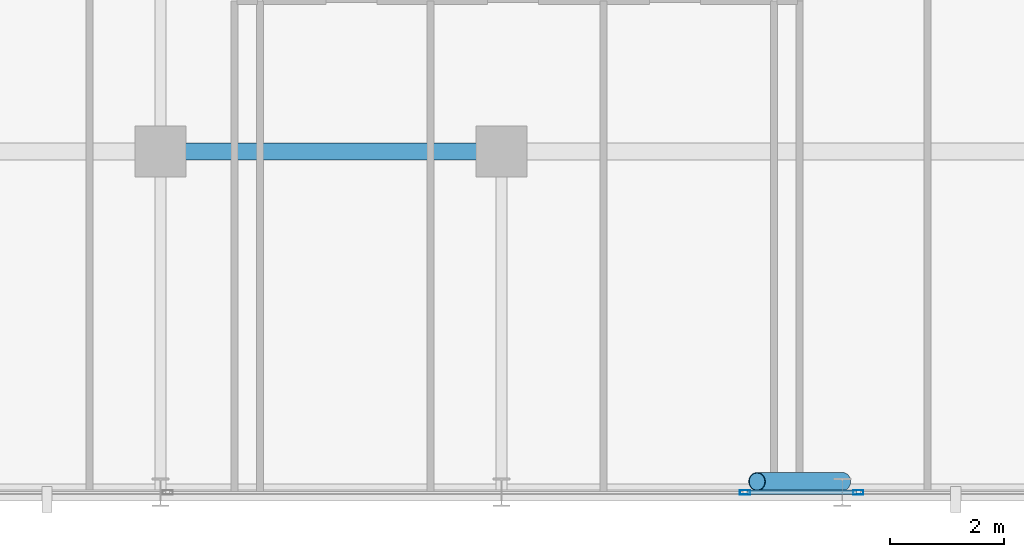
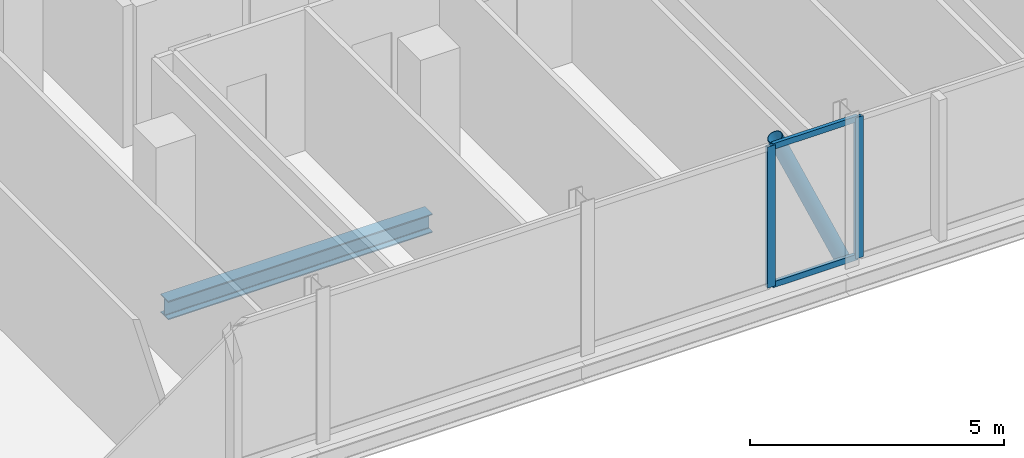
# One storey, part 9 of 31: 5 members, 1 beam, 2 elements without a shape of their own.
"""IFC4 building model written with IfcOpenShell, lengths in metres."""

from ifc_helpers import new_model, si_unit, direction, frame, origin, origin_2d, place, context, subcontext, project, spatial, hollow_rectangle, hollow_circle, i_section, extrude, material, layer, layer_set, material_profile, profile_set, type_object, element, aggregate, save


model = new_model("IFC4")

# Units and contexts
model_context = context("Model", 3, precision=1e-05, world=origin(), true_north=direction((0.0, 1.0)))
body_context = subcontext(model_context, "Body", "Model", "MODEL_VIEW")
ifc_project = project(units=[si_unit("LENGTHUNIT", "METRE"), si_unit("AREAUNIT", "SQUARE_METRE"), si_unit("VOLUMEUNIT", "CUBIC_METRE"), si_unit("PLANEANGLEUNIT", "RADIAN"), si_unit("MASSUNIT", "GRAM", prefix="KILO")], contexts=[model_context])

# Site, building, storey
site_placement = place(None, origin())
site = spatial("IfcSite", under=ifc_project, at=site_placement, CompositionType="ELEMENT")
building_placement = place(site_placement, origin())
building = spatial("IfcBuilding", under=site, at=building_placement, Name="Keshet Zoharim Tower", CompositionType="ELEMENT")
storey_placement = place(building_placement, frame((0.0, 0.0, 140.89990234375)))
storey = spatial("IfcBuildingStorey", under=building, at=storey_placement, Name="L34", CompositionType="ELEMENT", Elevation=140.89990234375)

# Beam
ifc_material_1 = material(Name="Steel S355", Category="steel")
ifc_material_profile_1 = material_profile(ifc_material_1, i_section(OverallWidth=0.300048828125, OverallDepth=0.449951171875, WebThickness=0.013916015625, FlangeThickness=0.02587890625, FilletRadius=0.027099609375, at=origin_2d()), Name="HEB450")
ifc_profile_set_1 = profile_set([ifc_material_profile_1], Name="Steel S355")
beam_type = type_object("IfcBeamType", Name="BM-WEB-HB450", PredefinedType="BEAM", material=ifc_profile_set_1)
beam_placement = place(storey_placement, frame((33.0, 6.699951171875, -0.539794921875), z_axis=(1.0, 0.0, 0.0), x_axis=(0.0, 1.0, 0.0)))
element("IfcBeam", 1, at=beam_placement, inside=storey, type_object=beam_type, Name="L34 Primary Girder X-007", PredefinedType="BEAM", context=body_context, shape_type="SweptSolid", body=[
    extrude(i_section(OverallWidth=0.300048828125, OverallDepth=0.449951171875, WebThickness=0.013916015625, FlangeThickness=0.02587890625, FilletRadius=0.027099609375, at=origin_2d()), origin(), (0.0, 0.0, 1.0), 6.0),
])

# Curtain wall, member
ifc_material_2 = material(Name="Aluminium 6063-T6", Category="aluminium")
ifc_layer = layer(ifc_material_2, 0.159912109375)
ifc_layer_set = layer_set([ifc_layer], Name="Aluminium 6063-T6")
curtain_wall_type = type_object("IfcCurtainWallType", Name="CW-SYS-03", PredefinedType="NOTDEFINED", material=ifc_layer_set)
curtain_wall_1_placement = place(storey_placement, origin())
curtain_wall_1 = element("IfcCurtainWall", 2, at=curtain_wall_1_placement, inside=storey, type_object=curtain_wall_type, Name="L34 Unitised Curtain Wall 03", PredefinedType="NOTDEFINED")
ifc_material_profile_2 = material_profile(ifc_material_2, hollow_rectangle(XDim=0.080078125, YDim=0.179931640625, WallThickness=0.00439453125, at=origin_2d()), Name="MUL-80x180")
ifc_profile_set_2 = profile_set([ifc_material_profile_2], Name="Aluminium 6063-T6")
member_type_1 = type_object("IfcMemberType", Name="CWM-M18", PredefinedType="MULLION", material=ifc_profile_set_2)
member_1_placement = place(storey_placement, frame((45.283203125, 0.699951171875, 0.0), z_axis=(0.0, 0.0, 1.0), x_axis=(0.0, -1.0, 0.0)))
member_1 = element("IfcMember", 3, at=member_1_placement, type_object=member_type_1, Name="CW-03 mullion 2", PredefinedType="MULLION", context=body_context, shape_type="SweptSolid", body=[
    extrude(hollow_rectangle(XDim=0.080078125, YDim=0.179931640625, WallThickness=0.00439453125, at=origin_2d()), origin(), (0.0, 0.0, 1.0), 3.385009765625),
])
aggregate(curtain_wall_1, [member_1])

# Curtain wall, members
curtain_wall_2_placement = place(storey_placement, origin())
curtain_wall_2 = element("IfcCurtainWall", 4, at=curtain_wall_2_placement, inside=storey, type_object=curtain_wall_type, Name="L34 Unitised Curtain Wall 03 Part 2", PredefinedType="NOTDEFINED")
member_2_placement = place(storey_placement, frame((43.286865234375, 0.699951171875, 0.0), z_axis=(0.0, 0.0, 1.0), x_axis=(0.0, -1.0, 0.0)))
member_2 = element("IfcMember", 5, at=member_2_placement, type_object=member_type_1, Name="CW-03 mullion 2", PredefinedType="MULLION", context=body_context, shape_type="SweptSolid", body=[
    extrude(hollow_rectangle(XDim=0.080078125, YDim=0.179931640625, WallThickness=0.00439453125, at=origin_2d()), origin(), (0.0, 0.0, 1.0), 3.385009765625),
])
ifc_material_profile_3 = material_profile(ifc_material_2, hollow_rectangle(XDim=0.080078125, YDim=0.139892578125, WallThickness=0.00390625, at=origin_2d()), Name="TRN-80x140")
ifc_profile_set_3 = profile_set([ifc_material_profile_3], Name="Aluminium 6063-T6")
member_type_2 = type_object("IfcMemberType", Name="CWT-T14", PredefinedType="USERDEFINED", material=ifc_profile_set_3)
member_3_placement = place(storey_placement, frame((45.248046875, 0.699951171875, 0.03515625), z_axis=(-1.0, 0.0, 0.0), x_axis=(0.0, -1.0, 0.0)))
member_3 = element("IfcMember", 6, at=member_3_placement, type_object=member_type_2, Name="CW-03 transom 1.1", ObjectType="TRANSOM", PredefinedType="USERDEFINED", context=body_context, shape_type="SweptSolid", body=[
    extrude(hollow_rectangle(XDim=0.080078125, YDim=0.139892578125, WallThickness=0.00390625, at=origin_2d()), origin(), (0.0, 0.0, 1.0), 1.926025390625),
])
member_4_placement = place(storey_placement, frame((45.248046875, 0.699951171875, 3.35009765625), z_axis=(-1.0, 0.0, 0.0), x_axis=(0.0, -1.0, 0.0)))
member_4 = element("IfcMember", 7, at=member_4_placement, type_object=member_type_2, Name="CW-03 transom 1.2", ObjectType="TRANSOM", PredefinedType="USERDEFINED", context=body_context, shape_type="SweptSolid", body=[
    extrude(hollow_rectangle(XDim=0.080078125, YDim=0.139892578125, WallThickness=0.00390625, at=origin_2d()), origin(), (0.0, 0.0, 1.0), 1.926025390625),
])
aggregate(curtain_wall_2, [member_2, member_3, member_4])

# Member
ifc_material_profile_4 = material_profile(ifc_material_1, hollow_circle(Radius=0.161865234375, WallThickness=0.012451171875, at=origin_2d()), Name="CHS323x12.5")
ifc_profile_set_4 = profile_set([ifc_material_profile_4], Name="Steel S355")
member_type_3 = type_object("IfcMemberType", Name="MB-BR-C323", PredefinedType="BRACE", material=ifc_profile_set_4)
member_5_placement = place(storey_placement, frame((45.0, 0.889892578125, 0.0), z_axis=(-0.405134846829, 0.0, 0.91425694194), x_axis=(0.0, -1.0, 0.0)))
element("IfcMember", 8, at=member_5_placement, inside=storey, type_object=member_type_3, Name="L34 Perimeter Tube Brace 04", PredefinedType="BRACE", context=body_context, shape_type="SweptSolid", body=[
    extrude(hollow_circle(Radius=0.161865234375, WallThickness=0.012451171875, at=origin_2d()), origin(), (0.0, 0.0, 1.0), 3.702392578125),
])

save(model, "model.ifc")
